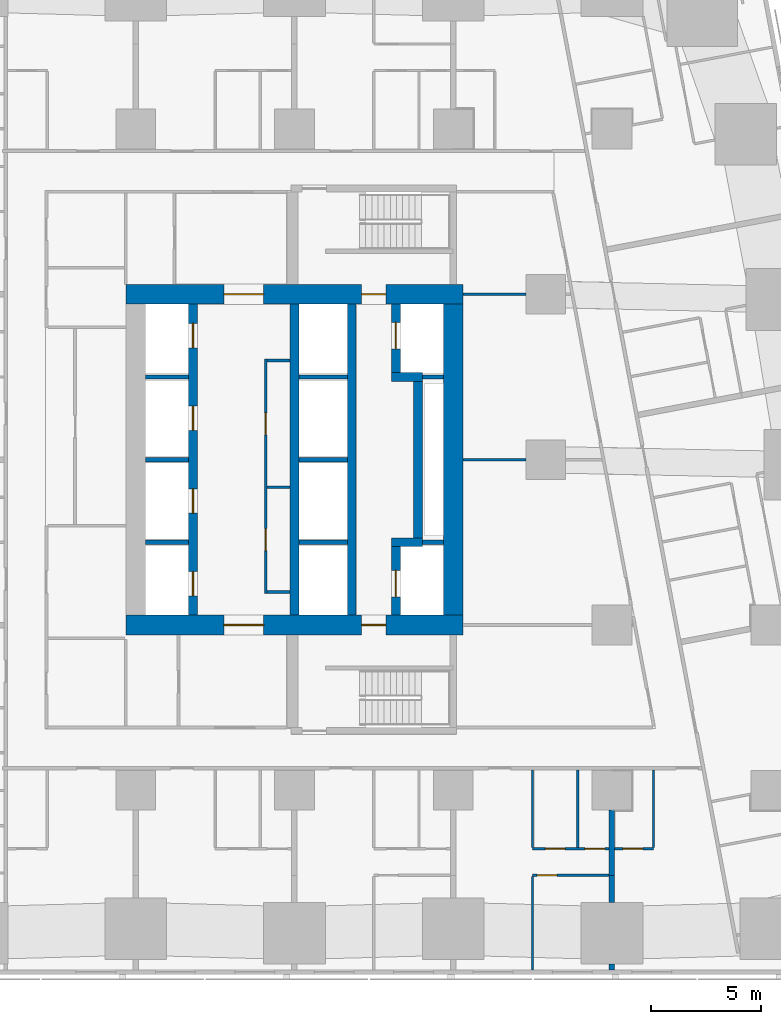
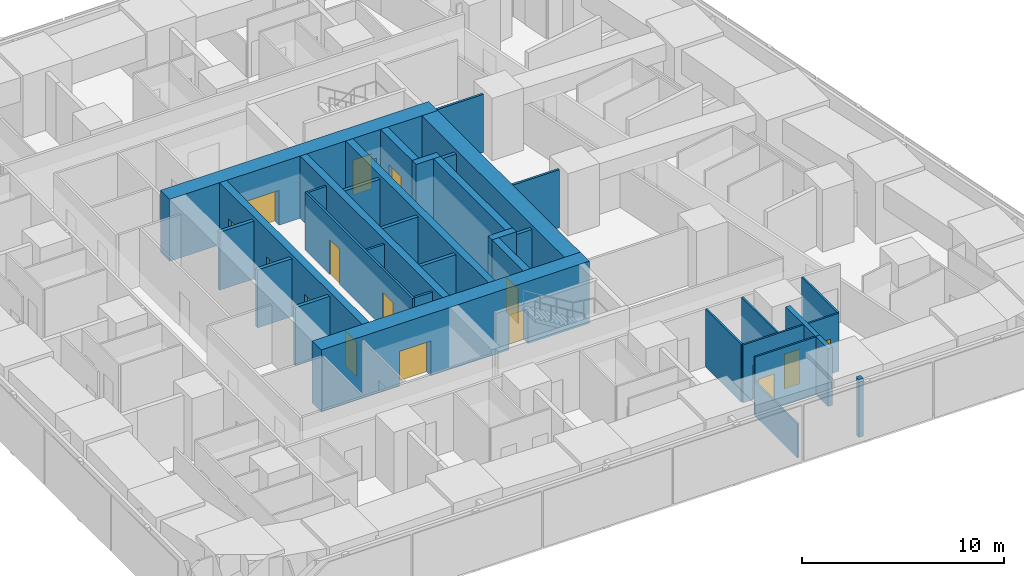
# One storey, part 5 of 15: 35 walls, 16 doors, 16 openings.
"""IFC4 building model written with IfcOpenShell, lengths in metres."""

from ifc_helpers import new_model, si_unit, direction, frame, frame_2d, origin, place, context, subcontext, project, spatial, rectangle, extrude, material, layer, layer_set, type_object, element, fill, save


model = new_model("IFC4")

# Units and contexts
model_context = context("Model", 3, precision=1e-05, world=origin(), true_north=direction((0.0, 1.0)))
body_context = subcontext(model_context, "Body", "Model", "MODEL_VIEW")
ifc_project = project(units=[si_unit("LENGTHUNIT", "METRE"), si_unit("AREAUNIT", "SQUARE_METRE"), si_unit("VOLUMEUNIT", "CUBIC_METRE"), si_unit("PLANEANGLEUNIT", "RADIAN"), si_unit("MASSUNIT", "GRAM", prefix="KILO")], contexts=[model_context])

# Site, building, storey
site_placement = place(None, origin())
site = spatial("IfcSite", under=ifc_project, at=site_placement, CompositionType="ELEMENT")
building_placement = place(site_placement, origin())
building = spatial("IfcBuilding", under=site, at=building_placement, Name="Sheger Commons Tower", CompositionType="ELEMENT")
storey_placement = place(building_placement, frame((0.0, 0.0, 42.5)))
storey = spatial("IfcBuildingStorey", under=building, at=storey_placement, Name="L10", CompositionType="ELEMENT", Elevation=42.5)

# Wall, openings, doors
ifc_material_1 = material(Name="Concrete C50/60", Category="concrete")
ifc_layer_1 = layer(ifc_material_1, 0.39990234375)
ifc_layer_set_1 = layer_set([ifc_layer_1], Name="CORE INNER WALL 400")
wall_type_1 = type_object("IfcWallType", Name="CORE INNER WALL 400", PredefinedType="SHEAR", material=ifc_layer_set_1)
wall_1_placement = place(storey_placement, frame((17.0, 15.449951171875, 0.0), z_axis=(0.0, 0.0, 1.0), x_axis=(0.0, 1.0, 0.0)))
wall_1 = element("IfcWall", 1, at=wall_1_placement, inside=storey, type_object=wall_type_1, Name="Core inner wall A L10", PredefinedType="SHEAR", context=body_context, shape_type="SweptSolid", body=[
    extrude(rectangle(XDim=14.10009765625, YDim=0.39990234375, at=frame_2d((7.050048828125, 0.0))), origin(), (0.0, 0.0, 1.0), 3.75),
])
opening_1_placement = place(wall_1_placement, frame((0.875, 0.0, 0.0)))
opening_1 = element("IfcOpeningElement", 2, at=opening_1_placement, cuts=wall_1, Name="Opening LD", PredefinedType="OPENING", context=body_context, shape_type="SweptSolid", body=[
    extrude(rectangle(XDim=1.10009765625, YDim=2.10009765625, at=frame_2d((0.550048828125, 1.050048828125))), frame((0.0, 0.2099609375, 0.0), z_axis=(0.0, -1.0, 0.0), x_axis=(1.0, 0.0, 0.0)), (0.0, 0.0, 1.0), 0.419921875),
])
opening_2_placement = place(wall_1_placement, frame((4.625, 0.0, 0.0)))
opening_2 = element("IfcOpeningElement", 3, at=opening_2_placement, cuts=wall_1, Name="Opening LD", PredefinedType="OPENING", context=body_context, shape_type="SweptSolid", body=[
    extrude(rectangle(XDim=1.10009765625, YDim=2.10009765625, at=frame_2d((0.550048828125, 1.050048828125))), frame((0.0, 0.2099609375, 0.0), z_axis=(0.0, -1.0, 0.0), x_axis=(1.0, 0.0, 0.0)), (0.0, 0.0, 1.0), 0.419921875),
])
opening_3_placement = place(wall_1_placement, frame((8.375, 0.0, 0.0)))
opening_3 = element("IfcOpeningElement", 4, at=opening_3_placement, cuts=wall_1, Name="Opening LD", PredefinedType="OPENING", context=body_context, shape_type="SweptSolid", body=[
    extrude(rectangle(XDim=1.10009765625, YDim=2.10009765625, at=frame_2d((0.550048828125, 1.050048828125))), frame((0.0, 0.2099609375, 0.0), z_axis=(0.0, -1.0, 0.0), x_axis=(1.0, 0.0, 0.0)), (0.0, 0.0, 1.0), 0.419921875),
])
opening_4_placement = place(wall_1_placement, frame((12.125, 0.0, 0.0)))
opening_4 = element("IfcOpeningElement", 5, at=opening_4_placement, cuts=wall_1, Name="Opening LD", PredefinedType="OPENING", context=body_context, shape_type="SweptSolid", body=[
    extrude(rectangle(XDim=1.10009765625, YDim=2.10009765625, at=frame_2d((0.550048828125, 1.050048828125))), frame((0.0, 0.2099609375, 0.0), z_axis=(0.0, -1.0, 0.0), x_axis=(1.0, 0.0, 0.0)), (0.0, 0.0, 1.0), 0.419921875),
])
ifc_material_2 = material(Name="Steel door set, fire rated", Category="steel")
door_type_1 = type_object("IfcDoorType", Name="LIFT LANDING DOOR 1100x2100", OperationType="DOUBLE_DOOR_SLIDING", PredefinedType="DOOR", material=ifc_material_2)
door_1_placement = place(opening_1_placement, origin())
door_1 = element("IfcDoor", 6, at=door_1_placement, inside=storey, type_object=door_type_1, Name="Lift LA1 landing door", OperationType="DOUBLE_DOOR_SLIDING", OverallHeight=2.10009765625, OverallWidth=1.10009765625, PredefinedType="DOOR", context=body_context, shape_type="SweptSolid", body=[
    extrude(rectangle(XDim=1.10009765625, YDim=2.10009765625, at=frame_2d((0.550048828125, 1.050048828125))), frame((0.0, 0.02490234375, 0.0), z_axis=(0.0, -1.0, 0.0), x_axis=(1.0, 0.0, 0.0)), (0.0, 0.0, 1.0), 0.050048828125),
])
fill(opening_1, door_1)
door_2_placement = place(opening_2_placement, origin())
door_2 = element("IfcDoor", 7, at=door_2_placement, inside=storey, type_object=door_type_1, Name="Lift LA2 landing door", OperationType="DOUBLE_DOOR_SLIDING", OverallHeight=2.10009765625, OverallWidth=1.10009765625, PredefinedType="DOOR", context=body_context, shape_type="SweptSolid", body=[
    extrude(rectangle(XDim=1.10009765625, YDim=2.10009765625, at=frame_2d((0.550048828125, 1.050048828125))), frame((0.0, 0.02490234375, 0.0), z_axis=(0.0, -1.0, 0.0), x_axis=(1.0, 0.0, 0.0)), (0.0, 0.0, 1.0), 0.050048828125),
])
fill(opening_2, door_2)
door_3_placement = place(opening_3_placement, origin())
door_3 = element("IfcDoor", 8, at=door_3_placement, inside=storey, type_object=door_type_1, Name="Lift LA3 landing door", OperationType="DOUBLE_DOOR_SLIDING", OverallHeight=2.10009765625, OverallWidth=1.10009765625, PredefinedType="DOOR", context=body_context, shape_type="SweptSolid", body=[
    extrude(rectangle(XDim=1.10009765625, YDim=2.10009765625, at=frame_2d((0.550048828125, 1.050048828125))), frame((0.0, 0.02490234375, 0.0), z_axis=(0.0, -1.0, 0.0), x_axis=(1.0, 0.0, 0.0)), (0.0, 0.0, 1.0), 0.050048828125),
])
fill(opening_3, door_3)
door_4_placement = place(opening_4_placement, origin())
door_4 = element("IfcDoor", 9, at=door_4_placement, inside=storey, type_object=door_type_1, Name="Lift LA4 landing door", OperationType="DOUBLE_DOOR_SLIDING", OverallHeight=2.10009765625, OverallWidth=1.10009765625, PredefinedType="DOOR", context=body_context, shape_type="SweptSolid", body=[
    extrude(rectangle(XDim=1.10009765625, YDim=2.10009765625, at=frame_2d((0.550048828125, 1.050048828125))), frame((0.0, 0.02490234375, 0.0), z_axis=(0.0, -1.0, 0.0), x_axis=(1.0, 0.0, 0.0)), (0.0, 0.0, 1.0), 0.050048828125),
])
fill(opening_4, door_4)

# Walls
for number, where, z_axis, x_axis, name in (
    (10, (21.60009765625, 15.449951171875, 0.0), (0.0, 0.0, 1.0), (0.0, 1.0, 0.0), "Core inner wall L L10"),
    (11, (24.199951171875, 15.449951171875, 0.0), (0.0, 0.0, 1.0), (0.0, 1.0, 0.0), "Core inner wall B L10"),
):
    element("IfcWall", number, at=place(storey_placement, frame(where, z_axis=z_axis, x_axis=x_axis)), inside=storey, type_object=wall_type_1, Name=name, PredefinedType="SHEAR", context=body_context, shape_type="SweptSolid", body=[
        extrude(rectangle(XDim=14.10009765625, YDim=0.39990234375, at=frame_2d((7.050048828125, 0.0))), origin(), (0.0, 0.0, 1.0), 3.75),
    ])

# Wall, opening, door
wall_2_placement = place(storey_placement, frame((26.199951171875, 15.449951171875, 0.0), z_axis=(0.0, 0.0, 1.0), x_axis=(0.0, 1.0, 0.0)))
wall_2 = element("IfcWall", 12, at=wall_2_placement, inside=storey, type_object=wall_type_1, Name="Core inner wall F L10", PredefinedType="SHEAR", context=body_context, shape_type="SweptSolid", body=[
    extrude(rectangle(XDim=3.10009765625, YDim=0.39990234375, at=frame_2d((1.550048828125, 0.0))), origin(), (0.0, 0.0, 1.0), 3.75),
])
opening_5_placement = place(wall_2_placement, frame((0.824951171875, 0.0, 0.0)))
opening_5 = element("IfcOpeningElement", 13, at=opening_5_placement, cuts=wall_2, Name="Opening LD2", PredefinedType="OPENING", context=body_context, shape_type="SweptSolid", body=[
    extrude(rectangle(XDim=1.199951171875, YDim=2.10009765625, at=frame_2d((0.60009765625, 1.050048828125))), frame((0.0, 0.2099609375, 0.0), z_axis=(0.0, -1.0, 0.0), x_axis=(1.0, 0.0, 0.0)), (0.0, 0.0, 1.0), 0.419921875),
])
ifc_material_3 = material(Name="Steel door set, fire rated", Category="steel")
door_type_2 = type_object("IfcDoorType", Name="FIREFIGHTING LIFT LANDING DOOR 1200x2100", OperationType="DOUBLE_DOOR_SLIDING", PredefinedType="DOOR", material=ifc_material_3)
door_5_placement = place(opening_5_placement, origin())
door_5 = element("IfcDoor", 14, at=door_5_placement, inside=storey, type_object=door_type_2, Name="Lift FL1 landing door", OperationType="DOUBLE_DOOR_SLIDING", OverallHeight=2.10009765625, OverallWidth=1.199951171875, PredefinedType="DOOR", context=body_context, shape_type="SweptSolid", body=[
    extrude(rectangle(XDim=1.199951171875, YDim=2.10009765625, at=frame_2d((0.60009765625, 1.050048828125))), frame((0.0, 0.02490234375, 0.0), z_axis=(0.0, -1.0, 0.0), x_axis=(1.0, 0.0, 0.0)), (0.0, 0.0, 1.0), 0.050048828125),
])
fill(opening_5, door_5)

# Walls
wall_3_placement = place(storey_placement, frame((26.0, 18.75, 0.0), z_axis=(0.0, 0.0, 1.0), x_axis=(1.0, 0.0, 0.0)))
element("IfcWall", 15, at=wall_3_placement, inside=storey, type_object=wall_type_1, Name="Core inner wall F south return L10", PredefinedType="SHEAR", context=body_context, shape_type="SweptSolid", body=[
    extrude(rectangle(XDim=1.39990234375, YDim=0.39990234375, at=frame_2d((0.699951171875, 0.0))), origin(), (0.0, 0.0, 1.0), 3.75),
])
wall_4_placement = place(storey_placement, frame((27.199951171875, 18.949951171875, 0.0), z_axis=(0.0, 0.0, 1.0), x_axis=(0.0, 1.0, 0.0)))
element("IfcWall", 16, at=wall_4_placement, inside=storey, type_object=wall_type_1, Name="Core inner wall F middle L10", PredefinedType="SHEAR", context=body_context, shape_type="SweptSolid", body=[
    extrude(rectangle(XDim=7.10009765625, YDim=0.39990234375, at=frame_2d((3.550048828125, 0.0))), origin(), (0.0, 0.0, 1.0), 3.75),
])
wall_5_placement = place(storey_placement, frame((26.0, 26.25, 0.0), z_axis=(0.0, 0.0, 1.0), x_axis=(1.0, 0.0, 0.0)))
element("IfcWall", 17, at=wall_5_placement, inside=storey, type_object=wall_type_1, Name="Core inner wall F north return L10", PredefinedType="SHEAR", context=body_context, shape_type="SweptSolid", body=[
    extrude(rectangle(XDim=1.39990234375, YDim=0.39990234375, at=frame_2d((0.699951171875, 0.0))), origin(), (0.0, 0.0, 1.0), 3.75),
])

# Wall, opening, door
wall_6_placement = place(storey_placement, frame((26.199951171875, 26.449951171875, 0.0), z_axis=(0.0, 0.0, 1.0), x_axis=(0.0, 1.0, 0.0)))
wall_6 = element("IfcWall", 18, at=wall_6_placement, inside=storey, type_object=wall_type_1, Name="Core inner wall F north L10", PredefinedType="SHEAR", context=body_context, shape_type="SweptSolid", body=[
    extrude(rectangle(XDim=3.10009765625, YDim=0.39990234375, at=frame_2d((1.550048828125, 0.0))), origin(), (0.0, 0.0, 1.0), 3.75),
])
opening_6_placement = place(wall_6_placement, frame((1.074951171875, 0.0, 0.0)))
opening_6 = element("IfcOpeningElement", 19, at=opening_6_placement, cuts=wall_6, Name="Opening LD2", PredefinedType="OPENING", context=body_context, shape_type="SweptSolid", body=[
    extrude(rectangle(XDim=1.199951171875, YDim=2.10009765625, at=frame_2d((0.60009765625, 1.050048828125))), frame((0.0, 0.2099609375, 0.0), z_axis=(0.0, -1.0, 0.0), x_axis=(1.0, 0.0, 0.0)), (0.0, 0.0, 1.0), 0.419921875),
])
door_6_placement = place(opening_6_placement, origin())
door_6 = element("IfcDoor", 20, at=door_6_placement, inside=storey, type_object=door_type_2, Name="Lift FL2 landing door", OperationType="DOUBLE_DOOR_SLIDING", OverallHeight=2.10009765625, OverallWidth=1.199951171875, PredefinedType="DOOR", context=body_context, shape_type="SweptSolid", body=[
    extrude(rectangle(XDim=1.199951171875, YDim=2.10009765625, at=frame_2d((0.60009765625, 1.050048828125))), frame((0.0, 0.02490234375, 0.0), z_axis=(0.0, -1.0, 0.0), x_axis=(1.0, 0.0, 0.0)), (0.0, 0.0, 1.0), 0.050048828125),
])
fill(opening_6, door_6)

# Wall, openings, doors
ifc_material_4 = material(Name="Concrete C50/60", Category="concrete")
ifc_layer_2 = layer(ifc_material_4, 0.89990234375)
ifc_layer_set_2 = layer_set([ifc_layer_2], Name="CORE WALL 900")
wall_type_2 = type_object("IfcWallType", Name="CORE WALL 900", PredefinedType="SHEAR", material=ifc_layer_set_2)
wall_7_placement = place(storey_placement, frame((13.949951171875, 15.0, 0.0), z_axis=(0.0, 0.0, 1.0), x_axis=(1.0, 0.0, 0.0)))
wall_7 = element("IfcWall", 21, at=wall_7_placement, inside=storey, type_object=wall_type_2, Name="Core wall south L10", PredefinedType="SHEAR", context=body_context, shape_type="SweptSolid", body=[
    extrude(rectangle(XDim=15.300048828125, YDim=0.89990234375, at=frame_2d((7.64990234375, 0.0))), origin(), (0.0, 0.0, 1.0), 3.75),
])
opening_7_placement = place(wall_7_placement, frame((4.449951171875, 0.0, 0.0)))
opening_7 = element("IfcOpeningElement", 22, at=opening_7_placement, cuts=wall_7, Name="Opening D6", PredefinedType="OPENING", context=body_context, shape_type="SweptSolid", body=[
    extrude(rectangle(XDim=1.800048828125, YDim=2.10009765625, at=frame_2d((0.89990234375, 1.050048828125))), frame((0.0, 0.4599609375, 0.0), z_axis=(0.0, -1.0, 0.0), x_axis=(1.0, 0.0, 0.0)), (0.0, 0.0, 1.0), 0.919921875),
])
opening_8_placement = place(wall_7_placement, frame((10.699951171875, 0.0, 0.0)))
opening_8 = element("IfcOpeningElement", 23, at=opening_8_placement, cuts=wall_7, Name="Opening D5", PredefinedType="OPENING", context=body_context, shape_type="SweptSolid", body=[
    extrude(rectangle(XDim=1.10009765625, YDim=2.10009765625, at=frame_2d((0.550048828125, 1.050048828125))), frame((0.0, 0.4599609375, 0.0), z_axis=(0.0, -1.0, 0.0), x_axis=(1.0, 0.0, 0.0)), (0.0, 0.0, 1.0), 0.919921875),
])
ifc_material_5 = material(Name="Steel door set, fire rated", Category="steel")
door_type_3 = type_object("IfcDoorType", Name="LOBBY DOUBLE DOOR 1800x2100", OperationType="DOUBLE_DOOR_SINGLE_SWING", PredefinedType="DOOR", material=ifc_material_5)
door_7_placement = place(opening_7_placement, origin())
door_7 = element("IfcDoor", 24, at=door_7_placement, inside=storey, type_object=door_type_3, Name="Lift lobby door", OperationType="DOUBLE_DOOR_SINGLE_SWING", OverallHeight=2.10009765625, OverallWidth=1.800048828125, PredefinedType="DOOR", context=body_context, shape_type="SweptSolid", body=[
    extrude(rectangle(XDim=1.800048828125, YDim=2.10009765625, at=frame_2d((0.89990234375, 1.050048828125))), frame((0.0, 0.02490234375, 0.0), z_axis=(0.0, -1.0, 0.0), x_axis=(1.0, 0.0, 0.0)), (0.0, 0.0, 1.0), 0.050048828125),
])
fill(opening_7, door_7)
ifc_material_6 = material(Name="Steel door set, fire rated", Category="steel")
door_type_4 = type_object("IfcDoorType", Name="STAIR DOOR 1100x2100", OperationType="NOTDEFINED", PredefinedType="DOOR", material=ifc_material_6)
door_8_placement = place(opening_8_placement, origin())
door_8 = element("IfcDoor", 25, at=door_8_placement, inside=storey, type_object=door_type_4, Name="Fire-fighting lobby door", OperationType="SINGLE_SWING_LEFT", OverallHeight=2.10009765625, OverallWidth=1.10009765625, PredefinedType="DOOR", context=body_context, shape_type="SweptSolid", body=[
    extrude(rectangle(XDim=1.10009765625, YDim=2.10009765625, at=frame_2d((0.550048828125, 1.050048828125))), frame((0.0, 0.02490234375, 0.0), z_axis=(0.0, -1.0, 0.0), x_axis=(1.0, 0.0, 0.0)), (0.0, 0.0, 1.0), 0.050048828125),
])
fill(opening_8, door_8)

wall_8_placement = place(storey_placement, frame((13.949951171875, 30.0, 0.0), z_axis=(0.0, 0.0, 1.0), x_axis=(1.0, 0.0, 0.0)))
wall_8 = element("IfcWall", 26, at=wall_8_placement, inside=storey, type_object=wall_type_2, Name="Core wall north L10", PredefinedType="SHEAR", context=body_context, shape_type="SweptSolid", body=[
    extrude(rectangle(XDim=15.300048828125, YDim=0.89990234375, at=frame_2d((7.64990234375, 0.0))), origin(), (0.0, 0.0, 1.0), 3.75),
])
opening_9_placement = place(wall_8_placement, frame((4.449951171875, 0.0, 0.0)))
opening_9 = element("IfcOpeningElement", 27, at=opening_9_placement, cuts=wall_8, Name="Opening D6", PredefinedType="OPENING", context=body_context, shape_type="SweptSolid", body=[
    extrude(rectangle(XDim=1.800048828125, YDim=2.10009765625, at=frame_2d((0.89990234375, 1.050048828125))), frame((0.0, 0.4599609375, 0.0), z_axis=(0.0, -1.0, 0.0), x_axis=(1.0, 0.0, 0.0)), (0.0, 0.0, 1.0), 0.919921875),
])
opening_10_placement = place(wall_8_placement, frame((10.699951171875, 0.0, 0.0)))
opening_10 = element("IfcOpeningElement", 28, at=opening_10_placement, cuts=wall_8, Name="Opening D5", PredefinedType="OPENING", context=body_context, shape_type="SweptSolid", body=[
    extrude(rectangle(XDim=1.10009765625, YDim=2.10009765625, at=frame_2d((0.550048828125, 1.050048828125))), frame((0.0, 0.4599609375, 0.0), z_axis=(0.0, -1.0, 0.0), x_axis=(1.0, 0.0, 0.0)), (0.0, 0.0, 1.0), 0.919921875),
])
door_9_placement = place(opening_9_placement, origin())
door_9 = element("IfcDoor", 29, at=door_9_placement, inside=storey, type_object=door_type_3, Name="Lift lobby door", OperationType="DOUBLE_DOOR_SINGLE_SWING", OverallHeight=2.10009765625, OverallWidth=1.800048828125, PredefinedType="DOOR", context=body_context, shape_type="SweptSolid", body=[
    extrude(rectangle(XDim=1.800048828125, YDim=2.10009765625, at=frame_2d((0.89990234375, 1.050048828125))), frame((0.0, 0.02490234375, 0.0), z_axis=(0.0, -1.0, 0.0), x_axis=(1.0, 0.0, 0.0)), (0.0, 0.0, 1.0), 0.050048828125),
])
fill(opening_9, door_9)
door_10_placement = place(opening_10_placement, origin())
door_10 = element("IfcDoor", 30, at=door_10_placement, inside=storey, type_object=door_type_4, Name="Fire-fighting lobby door", OperationType="SINGLE_SWING_LEFT", OverallHeight=2.10009765625, OverallWidth=1.10009765625, PredefinedType="DOOR", context=body_context, shape_type="SweptSolid", body=[
    extrude(rectangle(XDim=1.10009765625, YDim=2.10009765625, at=frame_2d((0.550048828125, 1.050048828125))), frame((0.0, 0.02490234375, 0.0), z_axis=(0.0, -1.0, 0.0), x_axis=(1.0, 0.0, 0.0)), (0.0, 0.0, 1.0), 0.050048828125),
])
fill(opening_10, door_10)

# Walls
wall_9_placement = place(storey_placement, frame((28.800048828125, 15.449951171875, 0.0), z_axis=(0.0, 0.0, 1.0), x_axis=(0.0, 1.0, 0.0)))
element("IfcWall", 31, at=wall_9_placement, inside=storey, type_object=wall_type_2, Name="Core wall east L10", PredefinedType="SHEAR", context=body_context, shape_type="SweptSolid", body=[
    extrude(rectangle(XDim=14.10009765625, YDim=0.89990234375, at=frame_2d((7.050048828125, 0.0))), origin(), (0.0, 0.0, 1.0), 3.75),
])
ifc_material_7 = material(Name="Dense concrete block masonry, plastered both sides (separating wall between flats)", Category="masonry")
ifc_layer_3 = layer(ifc_material_7, 0.25)
ifc_layer_set_3 = layer_set([ifc_layer_3], Name="DEMISING WALL 250")
wall_type_3 = type_object("IfcWallType", Name="DEMISING WALL 250", PredefinedType="SOLIDWALL", material=ifc_layer_set_3)
wall_10_placement = place(storey_placement, frame((36.0, -0.64990234375, 0.0), z_axis=(0.0, 0.0, 1.0), x_axis=(0.0, 1.0, 0.0)))
element("IfcWall", 32, at=wall_10_placement, inside=storey, type_object=wall_type_3, Name="Demising wall L10", PredefinedType="SOLIDWALL", context=body_context, shape_type="SweptSolid", body=[
    extrude(rectangle(XDim=0.27392578125, YDim=0.25, at=frame_2d((0.136962890625, 0.0))), origin(), (0.0, 0.0, 1.0), 3.5),
])
wall_11_placement = place(storey_placement, frame((36.0, 2.426025390625, 0.0), z_axis=(0.0, 0.0, 1.0), x_axis=(0.0, 1.0, 0.0)))
element("IfcWall", 33, at=wall_11_placement, inside=storey, type_object=wall_type_3, Name="Demising wall L10", PredefinedType="SOLIDWALL", context=body_context, shape_type="SweptSolid", body=[
    extrude(rectangle(XDim=1.223876953125, YDim=0.25, at=frame_2d((0.61181640625, 0.0))), origin(), (0.0, 0.0, 1.0), 3.5),
])
wall_12_placement = place(storey_placement, frame((36.0, 3.64990234375, 0.0), z_axis=(0.0, 0.0, 1.0), x_axis=(0.0, 1.0, 0.0)))
element("IfcWall", 34, at=wall_12_placement, inside=storey, type_object=wall_type_3, Name="Demising wall L10", PredefinedType="SOLIDWALL", context=body_context, shape_type="SweptSolid", body=[
    extrude(rectangle(XDim=2.94921875, YDim=0.25, at=frame_2d((1.474609375, 0.0))), origin(), (0.0, 0.0, 1.0), 3.5),
])

# Wall, opening, door
ifc_material_8 = material(Name="Gypsum board on steel studs", Category="steel")
ifc_layer_4 = layer(ifc_material_8, 0.10009765625)
ifc_layer_set_4 = layer_set([ifc_layer_4], Name="PARTITION 100")
wall_type_4 = type_object("IfcWallType", Name="PARTITION 100", PredefinedType="PARTITIONING", material=ifc_layer_set_4)
wall_13_placement = place(storey_placement, frame((35.875, 3.64990234375, 0.0), z_axis=(0.0, 0.0, 1.0), x_axis=(-1.0, 0.0, 0.0)))
wall_13 = element("IfcWall", 35, at=wall_13_placement, inside=storey, type_object=wall_type_4, Name="Partition L10", PredefinedType="PARTITIONING", context=body_context, shape_type="SweptSolid", body=[
    extrude(rectangle(XDim=3.47509765625, YDim=0.10009765625, at=frame_2d((1.737548828125, 0.0))), origin(), (0.0, 0.0, 1.0), 3.5),
])
opening_11_placement = place(wall_13_placement, frame((2.375, 0.0, 0.0)))
opening_11 = element("IfcOpeningElement", 36, at=opening_11_placement, cuts=wall_13, Name="Opening D2", PredefinedType="OPENING", context=body_context, shape_type="SweptSolid", body=[
    extrude(rectangle(XDim=0.89990234375, YDim=2.10009765625, at=frame_2d((0.449951171875, 1.050048828125))), frame((0.0, 0.06005859375, 0.0), z_axis=(0.0, -1.0, 0.0), x_axis=(1.0, 0.0, 0.0)), (0.0, 0.0, 1.0), 0.1201171875),
])
ifc_material_9 = material(Name="Timber door set", Category="wood")
door_type_5 = type_object("IfcDoorType", Name="INTERNAL DOOR 900x2100", OperationType="NOTDEFINED", PredefinedType="DOOR", material=ifc_material_9)
door_11_placement = place(opening_11_placement, origin())
door_11 = element("IfcDoor", 37, at=door_11_placement, inside=storey, type_object=door_type_5, Name="Main bedroom door", OperationType="SINGLE_SWING_RIGHT", OverallHeight=2.10009765625, OverallWidth=0.89990234375, PredefinedType="DOOR", context=body_context, shape_type="SweptSolid", body=[
    extrude(rectangle(XDim=0.89990234375, YDim=2.10009765625, at=frame_2d((0.449951171875, 1.050048828125))), frame((0.0, 0.02490234375, 0.0), z_axis=(0.0, -1.0, 0.0), x_axis=(1.0, 0.0, 0.0)), (0.0, 0.0, 1.0), 0.050048828125),
])
fill(opening_11, door_11)

# Wall, openings, doors
wall_14_placement = place(storey_placement, frame((35.875, 4.85009765625, 0.0), z_axis=(0.0, 0.0, 1.0), x_axis=(-1.0, 0.0, 0.0)))
wall_14 = element("IfcWall", 38, at=wall_14_placement, inside=storey, type_object=wall_type_4, Name="Partition L10", PredefinedType="PARTITIONING", context=body_context, shape_type="SweptSolid", body=[
    extrude(rectangle(XDim=3.47509765625, YDim=0.10009765625, at=frame_2d((1.737548828125, 0.0))), origin(), (0.0, 0.0, 1.0), 3.5),
])
opening_12_placement = place(wall_14_placement, frame((2.0, 0.0, 0.0)))
opening_12 = element("IfcOpeningElement", 39, at=opening_12_placement, cuts=wall_14, Name="Opening D2", PredefinedType="OPENING", context=body_context, shape_type="SweptSolid", body=[
    extrude(rectangle(XDim=0.89990234375, YDim=2.10009765625, at=frame_2d((0.449951171875, 1.050048828125))), frame((0.0, 0.06005859375, 0.0), z_axis=(0.0, -1.0, 0.0), x_axis=(1.0, 0.0, 0.0)), (0.0, 0.0, 1.0), 0.1201171875),
])
opening_13_placement = place(wall_14_placement, frame((0.199951171875, 0.0, 0.0)))
opening_13 = element("IfcOpeningElement", 40, at=opening_13_placement, cuts=wall_14, Name="Opening D2", PredefinedType="OPENING", context=body_context, shape_type="SweptSolid", body=[
    extrude(rectangle(XDim=0.89990234375, YDim=2.10009765625, at=frame_2d((0.449951171875, 1.050048828125))), frame((0.0, 0.06005859375, 0.0), z_axis=(0.0, -1.0, 0.0), x_axis=(1.0, 0.0, 0.0)), (0.0, 0.0, 1.0), 0.1201171875),
])
door_12_placement = place(opening_12_placement, origin())
door_12 = element("IfcDoor", 41, at=door_12_placement, inside=storey, type_object=door_type_5, Name="Bathroom door", OperationType="SINGLE_SWING_LEFT", OverallHeight=2.10009765625, OverallWidth=0.89990234375, PredefinedType="DOOR", context=body_context, shape_type="SweptSolid", body=[
    extrude(rectangle(XDim=0.89990234375, YDim=2.10009765625, at=frame_2d((0.449951171875, 1.050048828125))), frame((0.0, 0.02490234375, 0.0), z_axis=(0.0, -1.0, 0.0), x_axis=(1.0, 0.0, 0.0)), (0.0, 0.0, 1.0), 0.050048828125),
])
fill(opening_12, door_12)
door_13_placement = place(opening_13_placement, origin())
door_13 = element("IfcDoor", 42, at=door_13_placement, inside=storey, type_object=door_type_5, Name="Store door", OperationType="SINGLE_SWING_RIGHT", OverallHeight=2.10009765625, OverallWidth=0.89990234375, PredefinedType="DOOR", context=body_context, shape_type="SweptSolid", body=[
    extrude(rectangle(XDim=0.89990234375, YDim=2.10009765625, at=frame_2d((0.449951171875, 1.050048828125))), frame((0.0, 0.02490234375, 0.0), z_axis=(0.0, -1.0, 0.0), x_axis=(1.0, 0.0, 0.0)), (0.0, 0.0, 1.0), 0.050048828125),
])
fill(opening_13, door_13)

# Walls
wall_15_placement = place(storey_placement, frame((32.39990234375, -0.64990234375, 0.0), z_axis=(0.0, 0.0, 1.0), x_axis=(0.0, 1.0, 0.0)))
element("IfcWall", 43, at=wall_15_placement, inside=storey, type_object=wall_type_4, Name="Partition L10", PredefinedType="PARTITIONING", context=body_context, shape_type="SweptSolid", body=[
    extrude(rectangle(XDim=4.25, YDim=0.10009765625, at=frame_2d((2.125, 0.0))), origin(), (0.0, 0.0, 1.0), 2.050048828125),
])
for number, where, z_axis, x_axis, name in (
    (44, (32.39990234375, 4.89990234375, 0.0), (0.0, 0.0, 1.0), (0.0, 1.0, 0.0), "Partition L10"),
    (45, (34.449951171875, 4.89990234375, 0.0), (0.0, 0.0, 1.0), (0.0, 1.0, 0.0), "Partition L10"),
):
    element("IfcWall", number, at=place(storey_placement, frame(where, z_axis=z_axis, x_axis=x_axis)), inside=storey, type_object=wall_type_4, Name=name, PredefinedType="PARTITIONING", context=body_context, shape_type="SweptSolid", body=[
        extrude(rectangle(XDim=3.525146484375, YDim=0.10009765625, at=frame_2d((1.7626953125, 0.0))), origin(), (0.0, 0.0, 1.0), 3.5),
    ])

# Wall, opening, door
wall_16_placement = place(storey_placement, frame((37.889892578125, 4.85009765625, 0.0), z_axis=(0.0, 0.0, 1.0), x_axis=(-1.0, 0.0, 0.0)))
wall_16 = element("IfcWall", 46, at=wall_16_placement, inside=storey, type_object=wall_type_4, Name="Partition L10", PredefinedType="PARTITIONING", context=body_context, shape_type="SweptSolid", body=[
    extrude(rectangle(XDim=1.764892578125, YDim=0.10009765625, at=frame_2d((0.88232421875, 0.0))), origin(), (0.0, 0.0, 1.0), 3.5),
])
opening_14_placement = place(wall_16_placement, frame((0.489990234375, 0.0, 0.0)))
opening_14 = element("IfcOpeningElement", 47, at=opening_14_placement, cuts=wall_16, Name="Opening D2", PredefinedType="OPENING", context=body_context, shape_type="SweptSolid", body=[
    extrude(rectangle(XDim=0.89990234375, YDim=2.10009765625, at=frame_2d((0.449951171875, 1.050048828125))), frame((0.0, 0.06005859375, 0.0), z_axis=(0.0, -1.0, 0.0), x_axis=(1.0, 0.0, 0.0)), (0.0, 0.0, 1.0), 0.1201171875),
])
door_14_placement = place(opening_14_placement, origin())
door_14 = element("IfcDoor", 48, at=door_14_placement, inside=storey, type_object=door_type_5, Name="Shower room door", OperationType="SINGLE_SWING_LEFT", OverallHeight=2.10009765625, OverallWidth=0.89990234375, PredefinedType="DOOR", context=body_context, shape_type="SweptSolid", body=[
    extrude(rectangle(XDim=0.89990234375, YDim=2.10009765625, at=frame_2d((0.449951171875, 1.050048828125))), frame((0.0, 0.02490234375, 0.0), z_axis=(0.0, -1.0, 0.0), x_axis=(1.0, 0.0, 0.0)), (0.0, 0.0, 1.0), 0.050048828125),
])
fill(opening_14, door_14)

# Walls
wall_17_placement = place(storey_placement, frame((37.889892578125, 4.89990234375, 0.0), z_axis=(0.0, 0.0, 1.0), x_axis=(0.0, 1.0, 0.0)))
element("IfcWall", 49, at=wall_17_placement, inside=storey, type_object=wall_type_4, Name="Partition L10", PredefinedType="PARTITIONING", context=body_context, shape_type="SweptSolid", body=[
    extrude(rectangle(XDim=3.525146484375, YDim=0.10009765625, at=frame_2d((1.7626953125, 0.0))), origin(), (0.0, 0.0, 1.0), 3.5),
])
ifc_material_10 = material(Name="Gypsum board on steel studs, two layers each side, fire rated", Category="steel")
ifc_layer_5 = layer(ifc_material_10, 0.125)
ifc_layer_set_5 = layer_set([ifc_layer_5], Name="SERVICE WALL 125")
wall_type_5 = type_object("IfcWallType", Name="SERVICE WALL 125", PredefinedType="PARTITIONING", material=ifc_layer_set_5)
for number, where, z_axis, x_axis, name in (
    (50, (29.25, 22.5, 0.0), (0.0, 0.0, 1.0), (1.0, 0.0, 0.0), "Service room wall L10"),
    (51, (29.25, 30.0, 0.0), (0.0, 0.0, 1.0), (1.0, 0.0, 0.0), "Service room wall L10"),
):
    element("IfcWall", number, at=place(storey_placement, frame(where, z_axis=z_axis, x_axis=x_axis)), inside=storey, type_object=wall_type_5, Name=name, PredefinedType="PARTITIONING", context=body_context, shape_type="SweptSolid", body=[
        extrude(rectangle(XDim=2.84912109375, YDim=0.125, at=frame_2d((1.424560546875, 0.0))), origin(), (0.0, 0.0, 1.0), 3.5),
    ])

# Wall, openings, doors
wall_18_placement = place(storey_placement, frame((20.300048828125, 16.43798828125, 0.0), z_axis=(0.0, 0.0, 1.0), x_axis=(0.0, 1.0, 0.0)))
wall_18 = element("IfcWall", 52, at=wall_18_placement, inside=storey, type_object=wall_type_5, Name="Service room wall L10", PredefinedType="PARTITIONING", context=body_context, shape_type="SweptSolid", body=[
    extrude(rectangle(XDim=10.6240234375, YDim=0.125, at=frame_2d((5.31201171875, 0.0))), origin(), (0.0, 0.0, 1.0), 3.5),
])
opening_15_placement = place(wall_18_placement, frame((1.93701171875, 0.0, 0.0)))
opening_15 = element("IfcOpeningElement", 53, at=opening_15_placement, cuts=wall_18, Name="Opening D4", PredefinedType="OPENING", context=body_context, shape_type="SweptSolid", body=[
    extrude(rectangle(XDim=1.0, YDim=2.10009765625, at=frame_2d((0.5, 1.050048828125))), frame((0.0, 0.072509765625, 0.0), z_axis=(0.0, -1.0, 0.0), x_axis=(1.0, 0.0, 0.0)), (0.0, 0.0, 1.0), 0.14501953125),
])
opening_16_placement = place(wall_18_placement, frame((7.18701171875, 0.0, 0.0)))
opening_16 = element("IfcOpeningElement", 54, at=opening_16_placement, cuts=wall_18, Name="Opening D4", PredefinedType="OPENING", context=body_context, shape_type="SweptSolid", body=[
    extrude(rectangle(XDim=1.0, YDim=2.10009765625, at=frame_2d((0.5, 1.050048828125))), frame((0.0, 0.072509765625, 0.0), z_axis=(0.0, -1.0, 0.0), x_axis=(1.0, 0.0, 0.0)), (0.0, 0.0, 1.0), 0.14501953125),
])
ifc_material_11 = material(Name="Steel door set, fire rated", Category="steel")
door_type_6 = type_object("IfcDoorType", Name="SERVICE DOOR 1000x2100", OperationType="NOTDEFINED", PredefinedType="DOOR", material=ifc_material_11)
door_15_placement = place(opening_15_placement, origin())
door_15 = element("IfcDoor", 55, at=door_15_placement, inside=storey, type_object=door_type_6, Name="Electrical cupboard door", OperationType="SINGLE_SWING_RIGHT", OverallHeight=2.10009765625, OverallWidth=1.0, PredefinedType="DOOR", context=body_context, shape_type="SweptSolid", body=[
    extrude(rectangle(XDim=1.0, YDim=2.10009765625, at=frame_2d((0.5, 1.050048828125))), frame((0.0, 0.02490234375, 0.0), z_axis=(0.0, -1.0, 0.0), x_axis=(1.0, 0.0, 0.0)), (0.0, 0.0, 1.0), 0.050048828125),
])
fill(opening_15, door_15)
door_16_placement = place(opening_16_placement, origin())
door_16 = element("IfcDoor", 56, at=door_16_placement, inside=storey, type_object=door_type_6, Name="Cleaner's cupboard door", OperationType="SINGLE_SWING_LEFT", OverallHeight=2.10009765625, OverallWidth=1.0, PredefinedType="DOOR", context=body_context, shape_type="SweptSolid", body=[
    extrude(rectangle(XDim=1.0, YDim=2.10009765625, at=frame_2d((0.5, 1.050048828125))), frame((0.0, 0.02490234375, 0.0), z_axis=(0.0, -1.0, 0.0), x_axis=(1.0, 0.0, 0.0)), (0.0, 0.0, 1.0), 0.050048828125),
])
fill(opening_16, door_16)

# Walls
for number, where, z_axis, x_axis, name in (
    (57, (20.363037109375, 16.5, 0.0), (0.0, 0.0, 1.0), (1.0, 0.0, 0.0), "Service room wall L10"),
    (58, (20.363037109375, 27.0, 0.0), (0.0, 0.0, 1.0), (1.0, 0.0, 0.0), "Service room wall L10"),
    (59, (20.363037109375, 21.25, 0.0), (0.0, 0.0, 1.0), (1.0, 0.0, 0.0), "Service room wall L10"),
):
    element("IfcWall", number, at=place(storey_placement, frame(where, z_axis=z_axis, x_axis=x_axis)), inside=storey, type_object=wall_type_5, Name=name, PredefinedType="PARTITIONING", context=body_context, shape_type="SweptSolid", body=[
        extrude(rectangle(XDim=1.036865234375, YDim=0.125, at=frame_2d((0.5185546875, 0.0))), origin(), (0.0, 0.0, 1.0), 3.5),
    ])
ifc_material_12 = material(Name="Hollow concrete block masonry", Category="masonry")
ifc_layer_6 = layer(ifc_material_12, 0.199951171875)
ifc_layer_set_6 = layer_set([ifc_layer_6], Name="SHAFT WALL 200")
wall_type_6 = type_object("IfcWallType", Name="SHAFT WALL 200", PredefinedType="SOLIDWALL", material=ifc_layer_set_6)
wall_19_placement = place(storey_placement, frame((14.85009765625, 18.75, 0.0), z_axis=(0.0, 0.0, 1.0), x_axis=(1.0, 0.0, 0.0)))
element("IfcWall", 60, at=wall_19_placement, inside=storey, type_object=wall_type_6, Name="Lift shaft wall L10", PredefinedType="SOLIDWALL", context=body_context, shape_type="SweptSolid", body=[
    extrude(rectangle(XDim=1.949951171875, YDim=0.199951171875, at=frame_2d((0.97509765625, 0.0))), origin(), (0.0, 0.0, 1.0), 3.5),
])
wall_20_placement = place(storey_placement, frame((21.800048828125, 18.75, 0.0), z_axis=(0.0, 0.0, 1.0), x_axis=(1.0, 0.0, 0.0)))
element("IfcWall", 61, at=wall_20_placement, inside=storey, type_object=wall_type_6, Name="Lift shaft wall L10", PredefinedType="SOLIDWALL", context=body_context, shape_type="SweptSolid", body=[
    extrude(rectangle(XDim=2.199951171875, YDim=0.199951171875, at=frame_2d((1.10009765625, 0.0))), origin(), (0.0, 0.0, 1.0), 3.5),
])
wall_21_placement = place(storey_placement, frame((14.85009765625, 22.5, 0.0), z_axis=(0.0, 0.0, 1.0), x_axis=(1.0, 0.0, 0.0)))
element("IfcWall", 62, at=wall_21_placement, inside=storey, type_object=wall_type_6, Name="Lift shaft wall L10", PredefinedType="SOLIDWALL", context=body_context, shape_type="SweptSolid", body=[
    extrude(rectangle(XDim=1.949951171875, YDim=0.199951171875, at=frame_2d((0.97509765625, 0.0))), origin(), (0.0, 0.0, 1.0), 3.5),
])
wall_22_placement = place(storey_placement, frame((21.800048828125, 22.5, 0.0), z_axis=(0.0, 0.0, 1.0), x_axis=(1.0, 0.0, 0.0)))
element("IfcWall", 63, at=wall_22_placement, inside=storey, type_object=wall_type_6, Name="Lift shaft wall L10", PredefinedType="SOLIDWALL", context=body_context, shape_type="SweptSolid", body=[
    extrude(rectangle(XDim=2.199951171875, YDim=0.199951171875, at=frame_2d((1.10009765625, 0.0))), origin(), (0.0, 0.0, 1.0), 3.5),
])
wall_23_placement = place(storey_placement, frame((14.85009765625, 26.25, 0.0), z_axis=(0.0, 0.0, 1.0), x_axis=(1.0, 0.0, 0.0)))
element("IfcWall", 64, at=wall_23_placement, inside=storey, type_object=wall_type_6, Name="Lift shaft wall L10", PredefinedType="SOLIDWALL", context=body_context, shape_type="SweptSolid", body=[
    extrude(rectangle(XDim=1.949951171875, YDim=0.199951171875, at=frame_2d((0.97509765625, 0.0))), origin(), (0.0, 0.0, 1.0), 3.5),
])
wall_24_placement = place(storey_placement, frame((21.800048828125, 26.25, 0.0), z_axis=(0.0, 0.0, 1.0), x_axis=(1.0, 0.0, 0.0)))
element("IfcWall", 65, at=wall_24_placement, inside=storey, type_object=wall_type_6, Name="Lift shaft wall L10", PredefinedType="SOLIDWALL", context=body_context, shape_type="SweptSolid", body=[
    extrude(rectangle(XDim=2.199951171875, YDim=0.199951171875, at=frame_2d((1.10009765625, 0.0))), origin(), (0.0, 0.0, 1.0), 3.5),
])
for number, where, z_axis, x_axis, name in (
    (66, (27.39990234375, 18.75, 0.0), (0.0, 0.0, 1.0), (1.0, 0.0, 0.0), "Lift shaft wall L10"),
    (67, (27.39990234375, 26.25, 0.0), (0.0, 0.0, 1.0), (1.0, 0.0, 0.0), "Lift shaft wall L10"),
):
    element("IfcWall", number, at=place(storey_placement, frame(where, z_axis=z_axis, x_axis=x_axis)), inside=storey, type_object=wall_type_6, Name=name, PredefinedType="SOLIDWALL", context=body_context, shape_type="SweptSolid", body=[
        extrude(rectangle(XDim=0.9501953125, YDim=0.199951171875, at=frame_2d((0.47509765625, 0.0))), origin(), (0.0, 0.0, 1.0), 3.5),
    ])

save(model, "model.ifc")
